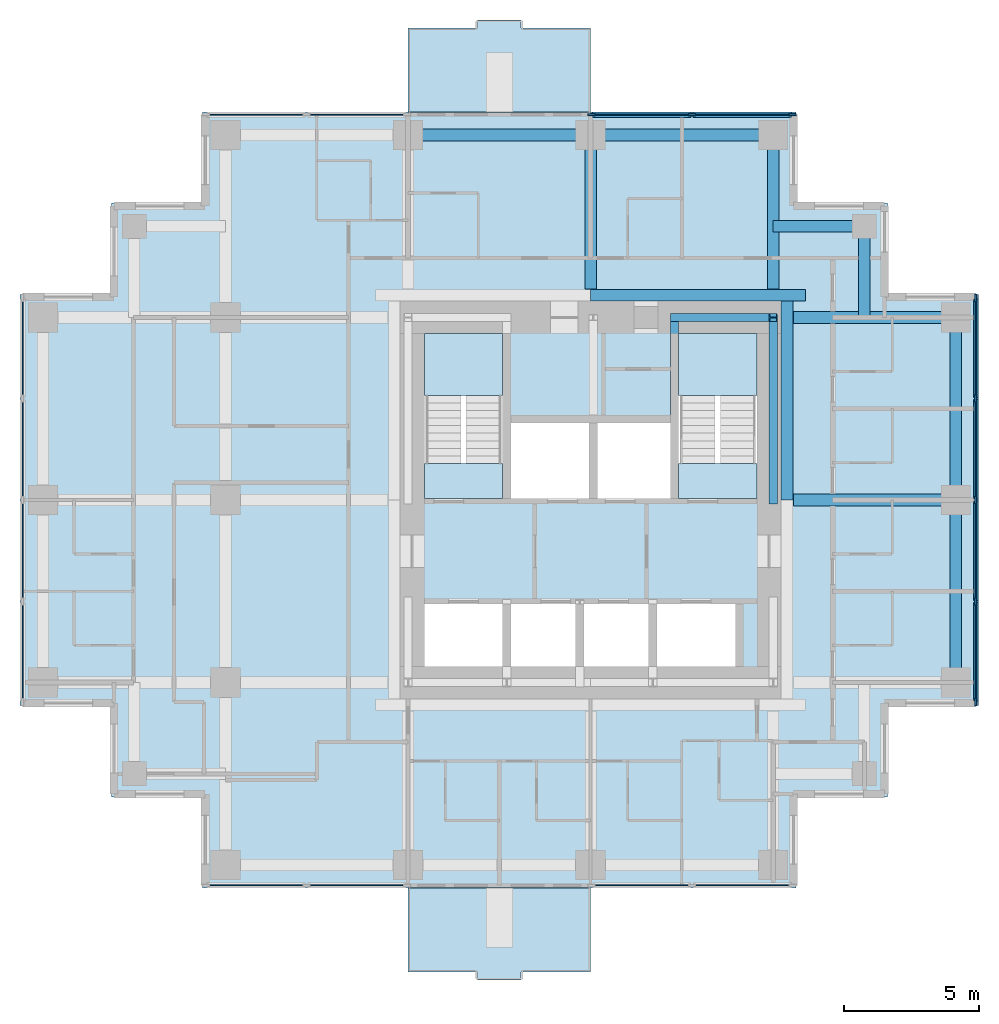
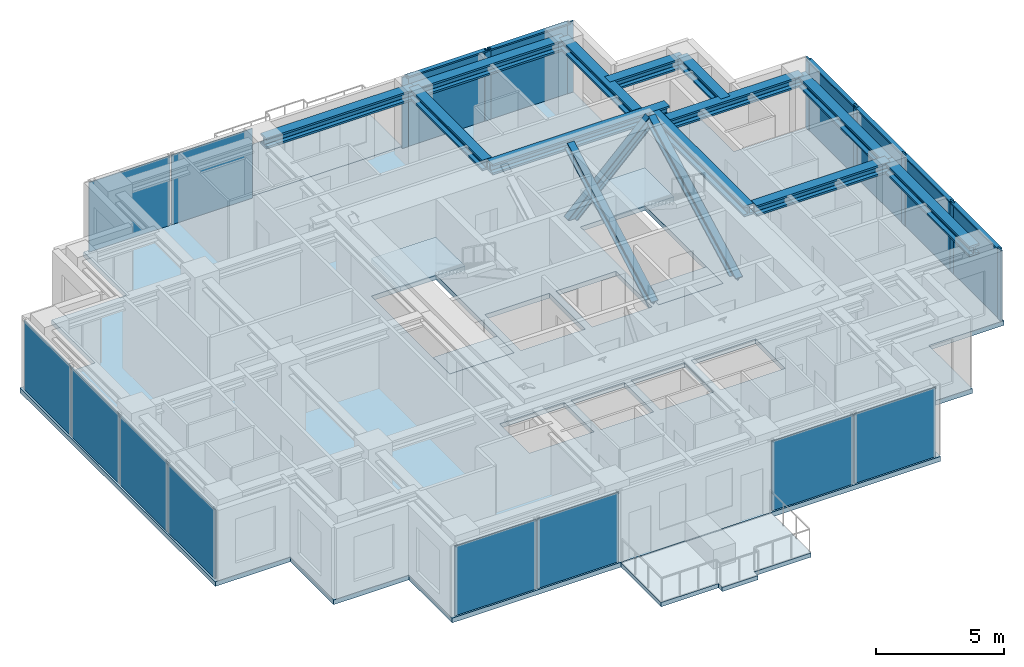
# One storey, part 2 of 8: 17 members, 16 plates, 12 beams, 7 slabs, 8 elements without a shape of their own.
"""IFC4 building model written with IfcOpenShell, lengths in metres."""

from ifc_helpers import new_model, si_unit, direction, frame, origin, origin_2d, place, context, subcontext, project, spatial, polyline, rectangle, i_section, outline, extrude, material, layer, layer_set, material_profile, profile_set, type_object, element, aggregate, save


model = new_model("IFC4")

# Units and contexts
model_context = context("Model", 3, precision=1e-05, world=origin(), true_north=direction((0.0, 1.0)))
body_context = subcontext(model_context, "Body", "Model", "MODEL_VIEW")
ifc_project = project(units=[si_unit("LENGTHUNIT", "METRE"), si_unit("AREAUNIT", "SQUARE_METRE"), si_unit("VOLUMEUNIT", "CUBIC_METRE"), si_unit("PLANEANGLEUNIT", "RADIAN"), si_unit("MASSUNIT", "GRAM", prefix="KILO")], contexts=[model_context])

# Site, building, storey
site_placement = place(None, origin())
site = spatial("IfcSite", under=ifc_project, at=site_placement, CompositionType="ELEMENT")
building_placement = place(site_placement, origin())
building = spatial("IfcBuilding", under=site, at=building_placement, Name="Nyansa Garden Tower", CompositionType="ELEMENT")
storey_placement = place(building_placement, frame((0.0, 0.0, 225.89990234375)))
storey = spatial("IfcBuildingStorey", under=building, at=storey_placement, Name="L61", CompositionType="ELEMENT", Elevation=225.89990234375)

# Curtain wall, members
ifc_material_1 = material(Name="Black anodised aluminium, dark tinted double glazing", Category="aluminium")
curtain_wall_type = type_object("IfcCurtainWallType", Name="Inner skin curtain wall ISW-D", PredefinedType="USERDEFINED", material=ifc_material_1)
curtain_wall_1_placement = place(storey_placement, origin())
curtain_wall_1 = element("IfcCurtainWall", 1, at=curtain_wall_1_placement, inside=storey, type_object=curtain_wall_type, Name="Inner skin curtain wall L61 E", ObjectType="UNITISED CURTAIN WALL", PredefinedType="USERDEFINED")
ifc_material_2 = material(Name="Black anodised aluminium", Category="aluminium")
ifc_material_profile_1 = material_profile(ifc_material_2, rectangle(XDim=0.070068359375, YDim=0.27490234375, at=origin_2d()), Name="Mullion 275x70")
ifc_profile_set_1 = profile_set([ifc_material_profile_1], Name="Black anodised aluminium")
member_type_1 = type_object("IfcMemberType", Name="Mullion ISW-D 275x70", PredefinedType="MULLION", material=ifc_profile_set_1)
member_1_placement = place(storey_placement, frame((34.5, 12.784912109375, 0.0), z_axis=(0.0, 0.0, 1.0), x_axis=(-1.0, 0.0, 0.0)))
member_1 = element("IfcMember", 2, at=member_1_placement, type_object=member_type_1, Name="ISW-D mullion 1", PredefinedType="MULLION", context=body_context, shape_type="SweptSolid", body=[
    extrude(rectangle(XDim=0.070068359375, YDim=0.27490234375, at=origin_2d()), origin(), (0.0, 0.0, 1.0), 3.375),
])
member_2_placement = place(storey_placement, frame((34.5, 16.5, 0.0), z_axis=(0.0, 0.0, 1.0), x_axis=(-1.0, 0.0, 0.0)))
member_2 = element("IfcMember", 3, at=member_2_placement, type_object=member_type_1, Name="ISW-D mullion 2", PredefinedType="MULLION", context=body_context, shape_type="SweptSolid", body=[
    extrude(rectangle(XDim=0.070068359375, YDim=0.27490234375, at=origin_2d()), origin(), (0.0, 0.0, 1.0), 3.375),
])
member_3_placement = place(storey_placement, frame((34.5, 20.25, 0.0), z_axis=(0.0, 0.0, 1.0), x_axis=(-1.0, 0.0, 0.0)))
member_3 = element("IfcMember", 4, at=member_3_placement, type_object=member_type_1, Name="ISW-D mullion 3", PredefinedType="MULLION", context=body_context, shape_type="SweptSolid", body=[
    extrude(rectangle(XDim=0.070068359375, YDim=0.27490234375, at=origin_2d()), origin(), (0.0, 0.0, 1.0), 3.375),
])
member_4_placement = place(storey_placement, frame((34.5, 24.0, 0.0), z_axis=(0.0, 0.0, 1.0), x_axis=(-1.0, 0.0, 0.0)))
member_4 = element("IfcMember", 5, at=member_4_placement, type_object=member_type_1, Name="ISW-D mullion 4", PredefinedType="MULLION", context=body_context, shape_type="SweptSolid", body=[
    extrude(rectangle(XDim=0.070068359375, YDim=0.27490234375, at=origin_2d()), origin(), (0.0, 0.0, 1.0), 3.375),
])
member_5_placement = place(storey_placement, frame((34.5, 27.715087890625, 0.0), z_axis=(0.0, 0.0, 1.0), x_axis=(-1.0, 0.0, 0.0)))
member_5 = element("IfcMember", 6, at=member_5_placement, type_object=member_type_1, Name="ISW-D mullion 5", PredefinedType="MULLION", context=body_context, shape_type="SweptSolid", body=[
    extrude(rectangle(XDim=0.070068359375, YDim=0.27490234375, at=origin_2d()), origin(), (0.0, 0.0, 1.0), 3.375),
])

curtain_wall_2_placement = place(storey_placement, origin())
curtain_wall_2 = element("IfcCurtainWall", 7, at=curtain_wall_2_placement, inside=storey, type_object=curtain_wall_type, Name="Inner skin curtain wall L61 N", ObjectType="UNITISED CURTAIN WALL", PredefinedType="USERDEFINED")
member_6_placement = place(storey_placement, frame((27.715087890625, 34.5, 0.0), z_axis=(0.0, 0.0, 1.0), x_axis=(0.0, -1.0, 0.0)))
member_6 = element("IfcMember", 8, at=member_6_placement, type_object=member_type_1, Name="ISW-D mullion 1", PredefinedType="MULLION", context=body_context, shape_type="SweptSolid", body=[
    extrude(rectangle(XDim=0.070068359375, YDim=0.27490234375, at=origin_2d()), origin(), (0.0, 0.0, 1.0), 3.375),
])
member_7_placement = place(storey_placement, frame((24.0, 34.5, 0.0), z_axis=(0.0, 0.0, 1.0), x_axis=(0.0, -1.0, 0.0)))
member_7 = element("IfcMember", 9, at=member_7_placement, type_object=member_type_1, Name="ISW-D mullion 2", PredefinedType="MULLION", context=body_context, shape_type="SweptSolid", body=[
    extrude(rectangle(XDim=0.070068359375, YDim=0.27490234375, at=origin_2d()), origin(), (0.0, 0.0, 1.0), 3.375),
])
member_8_placement = place(storey_placement, frame((20.284912109375, 34.5, 0.0), z_axis=(0.0, 0.0, 1.0), x_axis=(0.0, -1.0, 0.0)))
member_8 = element("IfcMember", 10, at=member_8_placement, type_object=member_type_1, Name="ISW-D mullion 3", PredefinedType="MULLION", context=body_context, shape_type="SweptSolid", body=[
    extrude(rectangle(XDim=0.070068359375, YDim=0.27490234375, at=origin_2d()), origin(), (0.0, 0.0, 1.0), 3.375),
])

# Members
ifc_material_3 = material(Name="Steel S355", Category="steel")
ifc_material_profile_2 = material_profile(ifc_material_3, i_section(OverallWidth=0.306884765625, OverallDepth=0.431884765625, WebThickness=0.02099609375, FlangeThickness=0.0400390625, FilletRadius=0.027099609375, at=origin_2d()), Name="HE 400 M")
ifc_profile_set_2 = profile_set([ifc_material_profile_2], Name="Steel S355")
member_type_2 = type_object("IfcMemberType", Name="Perimeter brace HE 400 M", PredefinedType="BRACE", material=ifc_profile_set_2)
member_9_placement = place(storey_placement, frame((23.35009765625, 27.0, 0.0), z_axis=(0.711947531702, 0.0, 0.702232662373), x_axis=(0.0, 1.0, 0.0)))
element("IfcMember", 11, at=member_9_placement, inside=storey, type_object=member_type_2, Name="Core brace CN4 L61", PredefinedType="BRACE", context=body_context, shape_type="SweptSolid", body=[
    extrude(i_section(OverallWidth=0.306884765625, OverallDepth=0.431884765625, WebThickness=0.02099609375, FlangeThickness=0.0400390625, FilletRadius=0.027099609375, at=origin_2d()), origin(), (0.0, 0.0, 1.0), 5.126708984375),
])
member_10_placement = place(storey_placement, frame((27.0, 20.199951171875, 0.0), z_axis=(0.0, 0.883784057226, 0.467895009796), x_axis=(-1.0, 0.0, 0.0)))
element("IfcMember", 12, at=member_10_placement, inside=storey, type_object=member_type_2, Name="Core brace CE8 L61", PredefinedType="BRACE", context=body_context, shape_type="SweptSolid", body=[
    extrude(i_section(OverallWidth=0.306884765625, OverallDepth=0.431884765625, WebThickness=0.02099609375, FlangeThickness=0.0400390625, FilletRadius=0.027099609375, at=origin_2d()), origin(), (0.0, 0.0, 1.0), 7.6943359375),
])
member_11_placement = place(storey_placement, frame((23.35009765625, 20.449951171875, 0.0), z_axis=(0.0, 0.876353113771, 0.481669201822), x_axis=(-1.0, 0.0, 0.0)))
element("IfcMember", 13, at=member_11_placement, inside=storey, type_object=member_type_2, Name="Core brace CES10 L61", PredefinedType="BRACE", context=body_context, shape_type="SweptSolid", body=[
    extrude(i_section(OverallWidth=0.306884765625, OverallDepth=0.431884765625, WebThickness=0.02099609375, FlangeThickness=0.0400390625, FilletRadius=0.027099609375, at=origin_2d()), origin(), (0.0, 0.0, 1.0), 7.47412109375),
])

# Beams
ifc_material_4 = material(Name="Steel S355", Category="steel")
ifc_material_profile_3 = material_profile(ifc_material_4, i_section(OverallWidth=0.431884765625, OverallDepth=0.498046875, WebThickness=0.0556640625, FlangeThickness=0.0888671875, FilletRadius=0.014892578125, at=origin_2d()), Name="HD 400x744")
ifc_profile_set_3 = profile_set([ifc_material_profile_3], Name="Steel S355")
beam_type_1 = type_object("IfcBeamType", Name="Steel beam SBD1-744 HD 400x744", PredefinedType="BEAM", material=ifc_profile_set_3)
beam_1_placement = place(storey_placement, frame((20.25, 28.050048828125, 3.1259765625), z_axis=(0.0, 1.0, 0.0), x_axis=(-1.0, 0.0, 0.0)))
element("IfcBeam", 14, at=beam_1_placement, inside=storey, type_object=beam_type_1, Name="Steel beam 5/28.050-5/J L62", PredefinedType="BEAM", context=body_context, shape_type="SweptSolid", body=[
    extrude(i_section(OverallWidth=0.431884765625, OverallDepth=0.498046875, WebThickness=0.0556640625, FlangeThickness=0.0888671875, FilletRadius=0.014892578125, at=origin_2d()), origin(), (0.0, 0.0, 1.0), 5.699951171875),
])
beam_2_placement = place(storey_placement, frame((27.75, 20.25, 3.1259765625), z_axis=(1.0, 0.0, 0.0), x_axis=(0.0, 1.0, 0.0)))
element("IfcBeam", 15, at=beam_2_placement, inside=storey, type_object=beam_type_1, Name="Steel beam 27.750/G-7/G L62", PredefinedType="BEAM", context=body_context, shape_type="SweptSolid", body=[
    extrude(i_section(OverallWidth=0.431884765625, OverallDepth=0.498046875, WebThickness=0.0556640625, FlangeThickness=0.0888671875, FilletRadius=0.014892578125, at=origin_2d()), origin(), (0.0, 0.0, 1.0), 6.0),
])
beam_3_placement = place(storey_placement, frame((27.0, 28.050048828125, 3.1259765625), z_axis=(0.0, 1.0, 0.0), x_axis=(-1.0, 0.0, 0.0)))
element("IfcBeam", 16, at=beam_3_placement, inside=storey, type_object=beam_type_1, Name="Steel beam 6/28.050-6/J L62", PredefinedType="BEAM", context=body_context, shape_type="SweptSolid", body=[
    extrude(i_section(OverallWidth=0.431884765625, OverallDepth=0.498046875, WebThickness=0.0556640625, FlangeThickness=0.0888671875, FilletRadius=0.014892578125, at=origin_2d()), origin(), (0.0, 0.0, 1.0), 5.699951171875),
])
beam_4_placement = place(storey_placement, frame((27.75, 27.0, 3.1259765625), z_axis=(1.0, 0.0, 0.0), x_axis=(0.0, 1.0, 0.0)))
element("IfcBeam", 17, at=beam_4_placement, inside=storey, type_object=beam_type_1, Name="Steel beam 27.750/H-7/H L62", PredefinedType="BEAM", context=body_context, shape_type="SweptSolid", body=[
    extrude(i_section(OverallWidth=0.431884765625, OverallDepth=0.498046875, WebThickness=0.0556640625, FlangeThickness=0.0888671875, FilletRadius=0.014892578125, at=origin_2d()), origin(), (0.0, 0.0, 1.0), 6.0),
])
ifc_material_5 = material(Name="Steel S355", Category="steel")
ifc_material_profile_4 = material_profile(ifc_material_5, i_section(OverallWidth=0.431884765625, OverallDepth=0.498046875, WebThickness=0.0556640625, FlangeThickness=0.0888671875, FilletRadius=0.014892578125, at=origin_2d()), Name="HD 400x744")
ifc_profile_set_4 = profile_set([ifc_material_profile_4], Name="Steel S355")
beam_type_2 = type_object("IfcBeamType", Name="Steel beam SEBD-744 HD 400x744", PredefinedType="BEAM", material=ifc_profile_set_4)
for number, where, z_axis, x_axis, name in (
    (18, (13.5, 33.75, 3.1259765625), (1.0, 0.0, 0.0), (0.0, 1.0, 0.0), "Steel edge beam 4/J-5/J L62"),
    (19, (20.25, 33.75, 3.1259765625), (1.0, 0.0, 0.0), (0.0, 1.0, 0.0), "Steel edge beam 5/J-6/J L62"),
    (20, (33.75, 13.5, 3.1259765625), (0.0, 1.0, 0.0), (-1.0, 0.0, 0.0), "Steel edge beam 7/F-7/G L62"),
    (21, (33.75, 20.25, 3.1259765625), (0.0, 1.0, 0.0), (-1.0, 0.0, 0.0), "Steel edge beam 7/G-7/H L62"),
):
    element("IfcBeam", number, at=place(storey_placement, frame(where, z_axis=z_axis, x_axis=x_axis)), inside=storey, type_object=beam_type_2, Name=name, PredefinedType="BEAM", context=body_context, shape_type="SweptSolid", body=[
        extrude(i_section(OverallWidth=0.431884765625, OverallDepth=0.498046875, WebThickness=0.0556640625, FlangeThickness=0.0888671875, FilletRadius=0.014892578125, at=origin_2d()), origin(), (0.0, 0.0, 1.0), 6.75),
    ])
ifc_material_6 = material(Name="Steel S355", Category="steel")
ifc_material_profile_5 = material_profile(ifc_material_6, i_section(OverallWidth=0.431884765625, OverallDepth=0.498046875, WebThickness=0.0556640625, FlangeThickness=0.0888671875, FilletRadius=0.014892578125, at=origin_2d()), Name="HD 400x744")
ifc_profile_set_5 = profile_set([ifc_material_profile_5], Name="Steel S355")
beam_type_3 = type_object("IfcBeamType", Name="Steel beam SLB1-744 HD 400x744", PredefinedType="BEAM", material=ifc_profile_set_5)
beam_5_placement = place(storey_placement, frame((27.51611328125, 20.25, 3.1259765625), z_axis=(0.0, 1.0, 0.0), x_axis=(-1.0, 0.0, 0.0)))
element("IfcBeam", 22, at=beam_5_placement, inside=storey, type_object=beam_type_3, Name="Steel core ledger beam E.2 L62", PredefinedType="BEAM", context=body_context, shape_type="SweptSolid", body=[
    extrude(i_section(OverallWidth=0.431884765625, OverallDepth=0.498046875, WebThickness=0.0556640625, FlangeThickness=0.0888671875, FilletRadius=0.014892578125, at=origin_2d()), origin(), (0.0, 0.0, 1.0), 7.35009765625),
])
beam_6_placement = place(storey_placement, frame((28.199951171875, 27.81591796875, 3.1259765625), z_axis=(-1.0, 0.0, 0.0), x_axis=(0.0, -1.0, 0.0)))
element("IfcBeam", 23, at=beam_6_placement, inside=storey, type_object=beam_type_3, Name="Steel core ledger beam N.1 L62", PredefinedType="BEAM", context=body_context, shape_type="SweptSolid", body=[
    extrude(i_section(OverallWidth=0.431884765625, OverallDepth=0.498046875, WebThickness=0.0556640625, FlangeThickness=0.0888671875, FilletRadius=0.014892578125, at=origin_2d()), origin(), (0.0, 0.0, 1.0), 7.949951171875),
])
ifc_material_7 = material(Name="Steel S355", Category="steel")
ifc_material_profile_6 = material_profile(ifc_material_7, i_section(OverallWidth=0.431884765625, OverallDepth=0.498046875, WebThickness=0.0556640625, FlangeThickness=0.0888671875, FilletRadius=0.014892578125, at=origin_2d()), Name="HD 400x744")
ifc_profile_set_6 = profile_set([ifc_material_profile_6], Name="Steel S355")
beam_type_4 = type_object("IfcBeamType", Name="Steel beam SSB1-744 HD 400x744", PredefinedType="BEAM", material=ifc_profile_set_6)
for number, where, z_axis, x_axis, name in (
    (24, (30.375, 30.375, 3.1259765625), (0.0, -1.0, 0.0), (1.0, 0.0, 0.0), "Steel step beam 30.375/30.375 L62"),
    (25, (30.375, 30.375, 3.1259765625), (-1.0, 0.0, 0.0), (0.0, -1.0, 0.0), "Steel step beam 30.375/30.375 L62"),
):
    element("IfcBeam", number, at=place(storey_placement, frame(where, z_axis=z_axis, x_axis=x_axis)), inside=storey, type_object=beam_type_4, Name=name, PredefinedType="BEAM", context=body_context, shape_type="SweptSolid", body=[
        extrude(i_section(OverallWidth=0.431884765625, OverallDepth=0.498046875, WebThickness=0.0556640625, FlangeThickness=0.0888671875, FilletRadius=0.014892578125, at=origin_2d()), origin(), (0.0, 0.0, 1.0), 3.375),
    ])

# Member
ifc_material_8 = material(Name="Black anodised aluminium", Category="aluminium")
ifc_material_profile_7 = material_profile(ifc_material_8, rectangle(XDim=0.195068359375, YDim=0.070068359375, at=origin_2d()), Name="Transom 195x70")
ifc_profile_set_7 = profile_set([ifc_material_profile_7], Name="Black anodised aluminium")
member_type_3 = type_object("IfcMemberType", Name="Transom ISW-D 195x70", PredefinedType="USERDEFINED", material=ifc_profile_set_7)
member_12_placement = place(storey_placement, frame((34.5, 12.820068359375, 3.340087890625), z_axis=(0.0, 1.0, 0.0), x_axis=(-1.0, 0.0, 0.0)))
member_12 = element("IfcMember", 26, at=member_12_placement, type_object=member_type_3, Name="ISW-D transom 1", ObjectType="TRANSOM", PredefinedType="USERDEFINED", context=body_context, shape_type="SweptSolid", body=[
    extrude(rectangle(XDim=0.195068359375, YDim=0.070068359375, at=origin_2d()), origin(), (0.0, 0.0, 1.0), 3.64501953125),
])

member_13_placement = place(storey_placement, frame((34.5, 16.534912109375, 3.340087890625), z_axis=(0.0, 1.0, 0.0), x_axis=(-1.0, 0.0, 0.0)))
member_13 = element("IfcMember", 27, at=member_13_placement, type_object=member_type_3, Name="ISW-D transom 2", ObjectType="TRANSOM", PredefinedType="USERDEFINED", context=body_context, shape_type="SweptSolid", body=[
    extrude(rectangle(XDim=0.195068359375, YDim=0.070068359375, at=origin_2d()), origin(), (0.0, 0.0, 1.0), 3.68017578125),
])

member_14_placement = place(storey_placement, frame((34.5, 20.284912109375, 3.340087890625), z_axis=(0.0, 1.0, 0.0), x_axis=(-1.0, 0.0, 0.0)))
member_14 = element("IfcMember", 28, at=member_14_placement, type_object=member_type_3, Name="ISW-D transom 3", ObjectType="TRANSOM", PredefinedType="USERDEFINED", context=body_context, shape_type="SweptSolid", body=[
    extrude(rectangle(XDim=0.195068359375, YDim=0.070068359375, at=origin_2d()), origin(), (0.0, 0.0, 1.0), 3.68017578125),
])

member_15_placement = place(storey_placement, frame((34.5, 24.034912109375, 3.340087890625), z_axis=(0.0, 1.0, 0.0), x_axis=(-1.0, 0.0, 0.0)))
member_15 = element("IfcMember", 29, at=member_15_placement, type_object=member_type_3, Name="ISW-D transom 4", ObjectType="TRANSOM", PredefinedType="USERDEFINED", context=body_context, shape_type="SweptSolid", body=[
    extrude(rectangle(XDim=0.195068359375, YDim=0.070068359375, at=origin_2d()), origin(), (0.0, 0.0, 1.0), 3.64501953125),
])

member_16_placement = place(storey_placement, frame((27.679931640625, 34.5, 3.340087890625), z_axis=(-1.0, 0.0, 0.0), x_axis=(0.0, -1.0, 0.0)))
member_16 = element("IfcMember", 30, at=member_16_placement, type_object=member_type_3, Name="ISW-D transom 1", ObjectType="TRANSOM", PredefinedType="USERDEFINED", context=body_context, shape_type="SweptSolid", body=[
    extrude(rectangle(XDim=0.195068359375, YDim=0.070068359375, at=origin_2d()), origin(), (0.0, 0.0, 1.0), 3.64501953125),
])

member_17_placement = place(storey_placement, frame((23.965087890625, 34.5, 3.340087890625), z_axis=(-1.0, 0.0, 0.0), x_axis=(0.0, -1.0, 0.0)))
member_17 = element("IfcMember", 31, at=member_17_placement, type_object=member_type_3, Name="ISW-D transom 2", ObjectType="TRANSOM", PredefinedType="USERDEFINED", context=body_context, shape_type="SweptSolid", body=[
    extrude(rectangle(XDim=0.195068359375, YDim=0.070068359375, at=origin_2d()), origin(), (0.0, 0.0, 1.0), 3.64501953125),
])

# Slabs
ifc_material_9 = material(Name="Concrete C40/50", Category="concrete")
ifc_layer_1 = layer(ifc_material_9, 0.199951171875)
ifc_layer_set_1 = layer_set([ifc_layer_1], Name="Balcony slab BS200")
slab_type_1 = type_object("IfcSlabType", Name="Balcony slab BS200", PredefinedType="FLOOR", material=ifc_layer_set_1)
slab_1_placement = place(storey_placement, frame((0.0, 0.0, -0.239990234375)))
element("IfcSlab", 32, at=slab_1_placement, inside=storey, type_object=slab_type_1, Name="Balcony L61 S", PredefinedType="FLOOR", context=body_context, shape_type="SweptSolid", body=[
    extrude(outline(polyline([(13.5, 5.89990234375), (20.25, 5.89990234375), (20.25, 2.800048828125), (17.675048828125, 2.800048828125), (17.675048828125, 2.5), (16.074951171875, 2.5), (16.074951171875, 2.800048828125), (13.5, 2.800048828125), (13.5, 5.89990234375)])), origin(), (0.0, 0.0, 1.0), 0.2001953125),
])
slab_2_placement = place(storey_placement, frame((0.0, 0.0, -0.239990234375)))
element("IfcSlab", 33, at=slab_2_placement, inside=storey, type_object=slab_type_1, Name="Balcony L61 N", PredefinedType="FLOOR", context=body_context, shape_type="SweptSolid", body=[
    extrude(outline(polyline([(13.5, 34.60009765625), (20.25, 34.60009765625), (20.25, 37.699951171875), (17.675048828125, 37.699951171875), (17.675048828125, 38.0), (16.074951171875, 38.0), (16.074951171875, 37.699951171875), (13.5, 37.699951171875), (13.5, 34.60009765625)])), origin(), (0.0, 0.0, 1.0), 0.2001953125),
])

# Plate
ifc_material_10 = material(Name="Dark tinted laminated double glazing", Category="glass")
ifc_layer_2 = layer(ifc_material_10, 0.0439453125)
ifc_layer_set_2 = layer_set([ifc_layer_2], Name="Dark tinted vision panel VP-D")
plate_type = type_object("IfcPlateType", Name="Dark tinted vision panel VP-D", PredefinedType="CURTAIN_PANEL", material=ifc_layer_set_2)
plate_1_placement = place(storey_placement, frame((34.5, 14.642578125, 0.0), z_axis=(0.0, 0.0, 1.0), x_axis=(0.0, 1.0, 0.0)))
plate_1 = element("IfcPlate", 34, at=plate_1_placement, type_object=plate_type, Name="ISW-D panel 1", PredefinedType="CURTAIN_PANEL", context=body_context, shape_type="SweptSolid", body=[
    extrude(rectangle(XDim=3.64501953125, YDim=0.0439453125, at=origin_2d()), origin(), (0.0, 0.0, 1.0), 3.304931640625),
])

plate_2_placement = place(storey_placement, frame((34.5, 18.375, 0.0), z_axis=(0.0, 0.0, 1.0), x_axis=(0.0, 1.0, 0.0)))
plate_2 = element("IfcPlate", 35, at=plate_2_placement, type_object=plate_type, Name="ISW-D panel 2", PredefinedType="CURTAIN_PANEL", context=body_context, shape_type="SweptSolid", body=[
    extrude(rectangle(XDim=3.679931640625, YDim=0.0439453125, at=origin_2d()), origin(), (0.0, 0.0, 1.0), 3.304931640625),
])

plate_3_placement = place(storey_placement, frame((34.5, 22.125, 0.0), z_axis=(0.0, 0.0, 1.0), x_axis=(0.0, 1.0, 0.0)))
plate_3 = element("IfcPlate", 36, at=plate_3_placement, type_object=plate_type, Name="ISW-D panel 3", PredefinedType="CURTAIN_PANEL", context=body_context, shape_type="SweptSolid", body=[
    extrude(rectangle(XDim=3.679931640625, YDim=0.0439453125, at=origin_2d()), origin(), (0.0, 0.0, 1.0), 3.304931640625),
])

plate_4_placement = place(storey_placement, frame((34.5, 25.857421875, 0.0), z_axis=(0.0, 0.0, 1.0), x_axis=(0.0, 1.0, 0.0)))
plate_4 = element("IfcPlate", 37, at=plate_4_placement, type_object=plate_type, Name="ISW-D panel 4", PredefinedType="CURTAIN_PANEL", context=body_context, shape_type="SweptSolid", body=[
    extrude(rectangle(XDim=3.64501953125, YDim=0.0439453125, at=origin_2d()), origin(), (0.0, 0.0, 1.0), 3.304931640625),
])

aggregate(curtain_wall_1, [member_1, member_2, member_3, member_4, member_5, member_12, plate_1, member_13, plate_2, member_14, plate_3, member_15, plate_4])

# Curtain wall, plates
curtain_wall_3_placement = place(storey_placement, origin())
curtain_wall_3 = element("IfcCurtainWall", 38, at=curtain_wall_3_placement, inside=storey, type_object=curtain_wall_type, Name="Inner skin curtain wall L61 N", ObjectType="UNITISED CURTAIN WALL", PredefinedType="USERDEFINED")
plate_5_placement = place(storey_placement, frame((11.607421875, 34.5, 0.0), z_axis=(0.0, 0.0, 1.0), x_axis=(-1.0, 0.0, 0.0)))
plate_5 = element("IfcPlate", 39, at=plate_5_placement, type_object=plate_type, Name="ISW-D panel 1", PredefinedType="CURTAIN_PANEL", context=body_context, shape_type="SweptSolid", body=[
    extrude(rectangle(XDim=3.64501953125, YDim=0.0439453125, at=origin_2d()), origin(), (0.0, 0.0, 1.0), 3.304931640625),
])
plate_6_placement = place(storey_placement, frame((7.892578125, 34.5, 0.0), z_axis=(0.0, 0.0, 1.0), x_axis=(-1.0, 0.0, 0.0)))
plate_6 = element("IfcPlate", 40, at=plate_6_placement, type_object=plate_type, Name="ISW-D panel 2", PredefinedType="CURTAIN_PANEL", context=body_context, shape_type="SweptSolid", body=[
    extrude(rectangle(XDim=3.64501953125, YDim=0.0439453125, at=origin_2d()), origin(), (0.0, 0.0, 1.0), 3.304931640625),
])
aggregate(curtain_wall_3, [plate_5, plate_6])

# Plate
plate_7_placement = place(storey_placement, frame((25.857421875, 34.5, 0.0), z_axis=(0.0, 0.0, 1.0), x_axis=(-1.0, 0.0, 0.0)))
plate_7 = element("IfcPlate", 41, at=plate_7_placement, type_object=plate_type, Name="ISW-D panel 1", PredefinedType="CURTAIN_PANEL", context=body_context, shape_type="SweptSolid", body=[
    extrude(rectangle(XDim=3.64501953125, YDim=0.0439453125, at=origin_2d()), origin(), (0.0, 0.0, 1.0), 3.304931640625),
])

plate_8_placement = place(storey_placement, frame((22.142578125, 34.5, 0.0), z_axis=(0.0, 0.0, 1.0), x_axis=(-1.0, 0.0, 0.0)))
plate_8 = element("IfcPlate", 42, at=plate_8_placement, type_object=plate_type, Name="ISW-D panel 2", PredefinedType="CURTAIN_PANEL", context=body_context, shape_type="SweptSolid", body=[
    extrude(rectangle(XDim=3.64501953125, YDim=0.0439453125, at=origin_2d()), origin(), (0.0, 0.0, 1.0), 3.304931640625),
])

aggregate(curtain_wall_2, [member_6, member_7, member_8, member_16, plate_7, member_17, plate_8])

# Curtain wall, plates
curtain_wall_4_placement = place(storey_placement, origin())
curtain_wall_4 = element("IfcCurtainWall", 43, at=curtain_wall_4_placement, inside=storey, type_object=curtain_wall_type, Name="Inner skin curtain wall L61 W", ObjectType="UNITISED CURTAIN WALL", PredefinedType="USERDEFINED")
plate_9_placement = place(storey_placement, frame((-0.75, 25.857421875, 0.0), z_axis=(0.0, 0.0, 1.0), x_axis=(0.0, -1.0, 0.0)))
plate_9 = element("IfcPlate", 44, at=plate_9_placement, type_object=plate_type, Name="ISW-D panel 1", PredefinedType="CURTAIN_PANEL", context=body_context, shape_type="SweptSolid", body=[
    extrude(rectangle(XDim=3.64501953125, YDim=0.0439453125, at=origin_2d()), origin(), (0.0, 0.0, 1.0), 3.304931640625),
])
plate_10_placement = place(storey_placement, frame((-0.75, 22.125, 0.0), z_axis=(0.0, 0.0, 1.0), x_axis=(0.0, -1.0, 0.0)))
plate_10 = element("IfcPlate", 45, at=plate_10_placement, type_object=plate_type, Name="ISW-D panel 2", PredefinedType="CURTAIN_PANEL", context=body_context, shape_type="SweptSolid", body=[
    extrude(rectangle(XDim=3.679931640625, YDim=0.0439453125, at=origin_2d()), origin(), (0.0, 0.0, 1.0), 3.304931640625),
])
plate_11_placement = place(storey_placement, frame((-0.75, 18.375, 0.0), z_axis=(0.0, 0.0, 1.0), x_axis=(0.0, -1.0, 0.0)))
plate_11 = element("IfcPlate", 46, at=plate_11_placement, type_object=plate_type, Name="ISW-D panel 3", PredefinedType="CURTAIN_PANEL", context=body_context, shape_type="SweptSolid", body=[
    extrude(rectangle(XDim=3.679931640625, YDim=0.0439453125, at=origin_2d()), origin(), (0.0, 0.0, 1.0), 3.304931640625),
])
plate_12_placement = place(storey_placement, frame((-0.75, 14.642578125, 0.0), z_axis=(0.0, 0.0, 1.0), x_axis=(0.0, -1.0, 0.0)))
plate_12 = element("IfcPlate", 47, at=plate_12_placement, type_object=plate_type, Name="ISW-D panel 4", PredefinedType="CURTAIN_PANEL", context=body_context, shape_type="SweptSolid", body=[
    extrude(rectangle(XDim=3.64501953125, YDim=0.0439453125, at=origin_2d()), origin(), (0.0, 0.0, 1.0), 3.304931640625),
])
aggregate(curtain_wall_4, [plate_9, plate_10, plate_11, plate_12])

curtain_wall_5_placement = place(storey_placement, origin())
curtain_wall_5 = element("IfcCurtainWall", 48, at=curtain_wall_5_placement, inside=storey, type_object=curtain_wall_type, Name="Inner skin curtain wall L61 S", ObjectType="UNITISED CURTAIN WALL", PredefinedType="USERDEFINED")
plate_13_placement = place(storey_placement, frame((7.892578125, 6.0, 0.0), z_axis=(0.0, 0.0, 1.0), x_axis=(1.0, 0.0, 0.0)))
plate_13 = element("IfcPlate", 49, at=plate_13_placement, type_object=plate_type, Name="ISW-D panel 1", PredefinedType="CURTAIN_PANEL", context=body_context, shape_type="SweptSolid", body=[
    extrude(rectangle(XDim=3.64501953125, YDim=0.0439453125, at=origin_2d()), origin(), (0.0, 0.0, 1.0), 3.304931640625),
])
plate_14_placement = place(storey_placement, frame((11.607421875, 6.0, 0.0), z_axis=(0.0, 0.0, 1.0), x_axis=(1.0, 0.0, 0.0)))
plate_14 = element("IfcPlate", 50, at=plate_14_placement, type_object=plate_type, Name="ISW-D panel 2", PredefinedType="CURTAIN_PANEL", context=body_context, shape_type="SweptSolid", body=[
    extrude(rectangle(XDim=3.64501953125, YDim=0.0439453125, at=origin_2d()), origin(), (0.0, 0.0, 1.0), 3.304931640625),
])
aggregate(curtain_wall_5, [plate_13, plate_14])

curtain_wall_6_placement = place(storey_placement, origin())
curtain_wall_6 = element("IfcCurtainWall", 51, at=curtain_wall_6_placement, inside=storey, type_object=curtain_wall_type, Name="Inner skin curtain wall L61 S", ObjectType="UNITISED CURTAIN WALL", PredefinedType="USERDEFINED")
plate_15_placement = place(storey_placement, frame((22.142578125, 6.0, 0.0), z_axis=(0.0, 0.0, 1.0), x_axis=(1.0, 0.0, 0.0)))
plate_15 = element("IfcPlate", 52, at=plate_15_placement, type_object=plate_type, Name="ISW-D panel 1", PredefinedType="CURTAIN_PANEL", context=body_context, shape_type="SweptSolid", body=[
    extrude(rectangle(XDim=3.64501953125, YDim=0.0439453125, at=origin_2d()), origin(), (0.0, 0.0, 1.0), 3.304931640625),
])
plate_16_placement = place(storey_placement, frame((25.857421875, 6.0, 0.0), z_axis=(0.0, 0.0, 1.0), x_axis=(1.0, 0.0, 0.0)))
plate_16 = element("IfcPlate", 53, at=plate_16_placement, type_object=plate_type, Name="ISW-D panel 2", PredefinedType="CURTAIN_PANEL", context=body_context, shape_type="SweptSolid", body=[
    extrude(rectangle(XDim=3.64501953125, YDim=0.0439453125, at=origin_2d()), origin(), (0.0, 0.0, 1.0), 3.304931640625),
])
aggregate(curtain_wall_6, [plate_15, plate_16])

# Slab
ifc_material_11 = material(Name="Concrete C40/50", Category="concrete")
ifc_layer_3 = layer(ifc_material_11, 0.22509765625)
ifc_layer_set_3 = layer_set([ifc_layer_3], Name="Floor slab FS225")
slab_type_2 = type_object("IfcSlabType", Name="Floor slab FS225", PredefinedType="FLOOR", material=ifc_layer_set_3)
slab_3_placement = place(storey_placement, frame((0.0, 0.0, -0.224853515625)))
element("IfcSlab", 54, at=slab_3_placement, inside=storey, type_object=slab_type_2, Name="Floor slab L61", PredefinedType="FLOOR", context=body_context, shape_type="SweptSolid", body=[
    extrude(outline(polyline([(34.60009765625, 12.64990234375), (31.22509765625, 12.64990234375), (31.22509765625, 9.27490234375), (27.85009765625, 9.27490234375), (27.85009765625, 5.89990234375), (5.89990234375, 5.89990234375), (5.89990234375, 9.27490234375), (2.52490234375, 9.27490234375), (2.52490234375, 12.64990234375), (-0.85009765625, 12.64990234375), (-0.85009765625, 27.85009765625), (2.52490234375, 27.85009765625), (2.52490234375, 31.22509765625), (5.89990234375, 31.22509765625), (5.89990234375, 34.60009765625), (27.85009765625, 34.60009765625), (27.85009765625, 31.22509765625), (31.22509765625, 31.22509765625), (31.22509765625, 27.85009765625), (34.60009765625, 27.85009765625), (34.60009765625, 12.64990234375)]), holes=[polyline([(14.10009765625, 14.10009765625), (17.0, 14.10009765625), (17.0, 16.39990234375), (14.10009765625, 16.39990234375), (14.10009765625, 14.10009765625)]), polyline([(17.300048828125, 14.10009765625), (19.699951171875, 14.10009765625), (19.699951171875, 16.39990234375), (17.300048828125, 16.39990234375), (17.300048828125, 14.10009765625)]), polyline([(20.0, 14.10009765625), (22.39990234375, 14.10009765625), (22.39990234375, 16.39990234375), (20.0, 16.39990234375), (20.0, 14.10009765625)]), polyline([(22.699951171875, 14.10009765625), (25.60009765625, 14.10009765625), (25.60009765625, 16.39990234375), (22.699951171875, 16.39990234375), (22.699951171875, 14.10009765625)]), polyline([(17.300048828125, 20.300048828125), (20.199951171875, 20.300048828125), (20.199951171875, 23.10009765625), (17.300048828125, 23.10009765625), (17.300048828125, 20.300048828125)]), polyline([(20.5, 20.300048828125), (23.199951171875, 20.300048828125), (23.199951171875, 23.10009765625), (20.5, 23.10009765625), (20.5, 20.300048828125)]), polyline([(14.10009765625, 20.300048828125), (17.0, 20.300048828125), (17.0, 26.39990234375), (14.10009765625, 26.39990234375), (14.10009765625, 20.300048828125)]), polyline([(23.5, 20.300048828125), (26.39990234375, 20.300048828125), (26.39990234375, 26.39990234375), (23.5, 26.39990234375), (23.5, 20.300048828125)])]), origin(), (0.0, 0.0, 1.0), 0.224853515625),
])

# Stair, slabs
ifc_material_12 = material(Name="Precast concrete C40/50", Category="concrete")
stair_type_1 = type_object("IfcStairType", Name="Stair S1 180x280", PredefinedType="HALF_TURN_STAIR", material=ifc_material_12)
stair_1_placement = place(storey_placement, origin())
stair_1 = element("IfcStair", 55, at=stair_1_placement, inside=storey, type_object=stair_type_1, Name="Stair S1 L61", PredefinedType="HALF_TURN_STAIR")
ifc_material_13 = material(Name="Concrete C40/50", Category="concrete")
ifc_layer_4 = layer(ifc_material_13, 0.199951171875)
ifc_layer_set_4 = layer_set([ifc_layer_4], Name="Stair landing SL200")
slab_type_3 = type_object("IfcSlabType", Name="Stair landing SL200", PredefinedType="LANDING", material=ifc_layer_set_4)
slab_4_placement = place(storey_placement, frame((0.0, 0.0, -0.199951171875)))
slab_4 = element("IfcSlab", 56, at=slab_4_placement, type_object=slab_type_3, Name="S1 landing 1", PredefinedType="LANDING", context=body_context, shape_type="SweptSolid", body=[
    extrude(outline(polyline([(14.10009765625, 20.300048828125), (17.0, 20.300048828125), (17.0, 21.60009765625), (14.10009765625, 21.60009765625), (14.10009765625, 20.300048828125)])), origin(), (0.0, 0.0, 1.0), 0.199951171875),
])
slab_5_placement = place(storey_placement, frame((0.0, 0.0, 1.60009765625)))
slab_5 = element("IfcSlab", 57, at=slab_5_placement, type_object=slab_type_3, Name="S1 landing 2", PredefinedType="LANDING", context=body_context, shape_type="SweptSolid", body=[
    extrude(outline(polyline([(14.10009765625, 24.1201171875), (17.0, 24.1201171875), (17.0, 26.39990234375), (14.10009765625, 26.39990234375), (14.10009765625, 24.1201171875)])), origin(), (0.0, 0.0, 1.0), 0.199951171875),
])
aggregate(stair_1, [slab_4, slab_5])

ifc_material_14 = material(Name="Precast concrete C40/50", Category="concrete")
stair_type_2 = type_object("IfcStairType", Name="Stair S2 180x280", PredefinedType="HALF_TURN_STAIR", material=ifc_material_14)
stair_2_placement = place(storey_placement, origin())
stair_2 = element("IfcStair", 58, at=stair_2_placement, inside=storey, type_object=stair_type_2, Name="Stair S2 L61", PredefinedType="HALF_TURN_STAIR")
slab_6_placement = place(storey_placement, frame((0.0, 0.0, -0.199951171875)))
slab_6 = element("IfcSlab", 59, at=slab_6_placement, type_object=slab_type_3, Name="S2 landing 1", PredefinedType="LANDING", context=body_context, shape_type="SweptSolid", body=[
    extrude(outline(polyline([(23.5, 20.300048828125), (26.39990234375, 20.300048828125), (26.39990234375, 21.60009765625), (23.5, 21.60009765625), (23.5, 20.300048828125)])), origin(), (0.0, 0.0, 1.0), 0.199951171875),
])
slab_7_placement = place(storey_placement, frame((0.0, 0.0, 1.60009765625)))
slab_7 = element("IfcSlab", 60, at=slab_7_placement, type_object=slab_type_3, Name="S2 landing 2", PredefinedType="LANDING", context=body_context, shape_type="SweptSolid", body=[
    extrude(outline(polyline([(23.5, 24.1201171875), (26.39990234375, 24.1201171875), (26.39990234375, 26.39990234375), (23.5, 26.39990234375), (23.5, 24.1201171875)])), origin(), (0.0, 0.0, 1.0), 0.199951171875),
])
aggregate(stair_2, [slab_6, slab_7])

save(model, "model.ifc")
